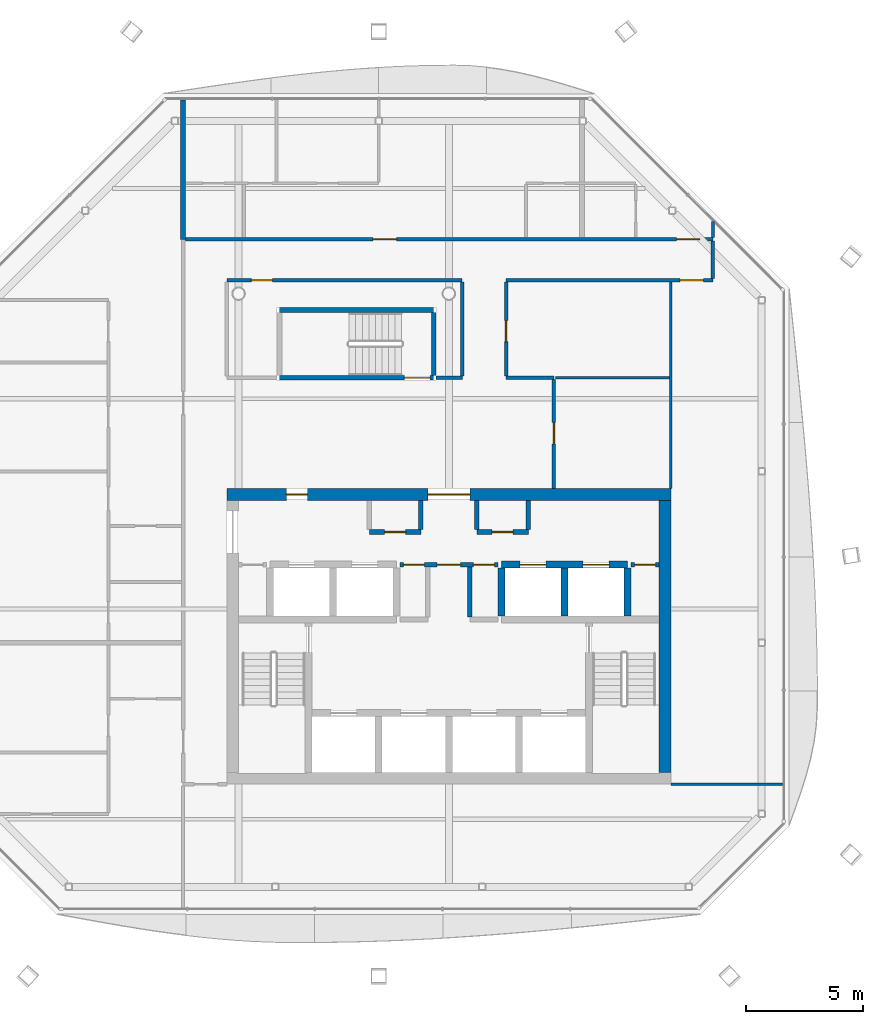
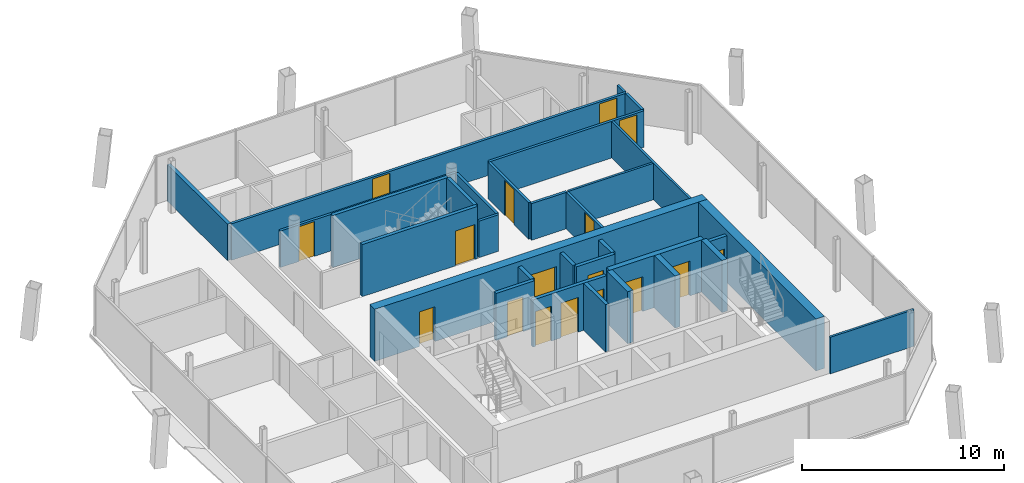
# One storey, part 11 of 16: 31 walls, 17 doors, 17 openings.
"""IFC4 building model written with IfcOpenShell, lengths in metres."""

import ifcopenshell
import ifcopenshell.guid

model = None  # the IFC model being written
_history = None  # IfcOwnerHistory: only IFC2X3 demands one
_inside = {}  # id of a spatial element -> (the spatial element, [elements in it])
_under = {}  # id of a project, library or spatial element -> (it, [spatial elements below it])
_declared = {}  # id of a project -> (the project, [libraries it declares])
_typed = {}  # id of a type object -> (the type object, [elements of that type])
_made_of = {}  # id of a material, layer set ... -> (it, [elements and type objects made of it])


def new_model(schema):
    """Start an empty IFC model of exactly this schema.

    Asked for "IFC4X3", IfcOpenShell would pick the latest addendum, in which some entities
    have other attributes; the version numbers below select the first issue.
    IFC2X3 requires an IfcOwnerHistory on every rooted entity: one is made here for all.
    """
    global model, _history
    if schema == "IFC4X3":
        model = ifcopenshell.file(schema_version=(4, 3, 0, 0))
    else:
        model = ifcopenshell.file(schema=schema)
    _inside.clear()
    _under.clear()
    _declared.clear()
    _typed.clear()
    _made_of.clear()
    _history = None
    if model.schema == "IFC2X3":
        org = make("IfcOrganization", Name="unknown")
        user = make(
            "IfcPersonAndOrganization",
            ThePerson=make("IfcPerson", FamilyName="unknown"),
            TheOrganization=org,
        )
        app = make(
            "IfcApplication",
            ApplicationDeveloper=org,
            Version="unknown",
            ApplicationFullName="unknown",
            ApplicationIdentifier="unknown",
        )
        _history = make(
            "IfcOwnerHistory",
            OwningUser=user,
            OwningApplication=app,
            ChangeAction="ADDED",
            CreationDate=0,
        )
    return model


def make(cls, **values):
    """One entity of the class cls with the attributes given. An attribute that is None is left unset."""
    return model.create_entity(
        cls, **{name: value for name, value in values.items() if value is not None}
    )


def rooted(cls, **values):
    """An entity with a GlobalId (a new one), such as an element, a storey or a relation."""
    return make(cls, GlobalId=ifcopenshell.guid.new(), OwnerHistory=_history, **values)


def si_unit(unit_type, name, prefix=None):
    """IfcSIUnit, for example si_unit("LENGTHUNIT", "METRE", prefix="MILLI")."""
    return make("IfcSIUnit", UnitType=unit_type, Prefix=prefix, Name=name)


def assignment(units):
    """IfcUnitAssignment: the units of a project."""
    return None if units is None else make("IfcUnitAssignment", Units=units)


def point(xyz):
    """IfcCartesianPoint."""
    return None if xyz is None else make("IfcCartesianPoint", Coordinates=xyz)


def direction(xyz):
    """IfcDirection."""
    return None if xyz is None else make("IfcDirection", DirectionRatios=xyz)


def frame(location, z_axis=None, x_axis=None):
    """IfcAxis2Placement3D, a coordinate frame: its origin and axes. An axis left out is left unset."""
    return make(
        "IfcAxis2Placement3D",
        Location=point(location),
        Axis=direction(z_axis),
        RefDirection=direction(x_axis),
    )


def frame_2d(location, x_axis=None):
    """IfcAxis2Placement2D, a coordinate frame in the plane: its origin and x axis."""
    return make(
        "IfcAxis2Placement2D", Location=point(location), RefDirection=direction(x_axis)
    )


def origin():
    """The frame at (0, 0, 0) with its axes left unset."""
    return frame((0.0, 0.0, 0.0))


def place(relative_to, where):
    """IfcLocalPlacement: puts the frame where relative to a parent placement (None: the world)."""
    return make(
        "IfcLocalPlacement", PlacementRelTo=relative_to, RelativePlacement=where
    )


def context(
    kind, dimensions, precision=None, world=None, true_north=None, identifier=None
):
    """IfcGeometricRepresentationContext, for example the 3D "Model" context."""
    return make(
        "IfcGeometricRepresentationContext",
        ContextIdentifier=identifier,
        ContextType=kind,
        CoordinateSpaceDimension=dimensions,
        Precision=precision,
        WorldCoordinateSystem=world,
        TrueNorth=true_north,
    )


def subcontext(parent, identifier, kind, view, scale=None):
    """IfcGeometricRepresentationSubContext, for example "Body" below "Model"."""
    return make(
        "IfcGeometricRepresentationSubContext",
        ContextIdentifier=identifier,
        ContextType=kind,
        ParentContext=parent,
        TargetScale=scale,
        TargetView=view,
    )


def project(units=None, contexts=None):
    """IfcProject with its units and contexts."""
    return rooted(
        "IfcProject",
        Name="project",
        RepresentationContexts=contexts,
        UnitsInContext=assignment(units),
    )


def spatial(cls, under=None, at=None, **own):
    """A site, building, storey or space (cls), placed at a placement, below another one or the project."""
    s = rooted(cls, ObjectPlacement=at, **own)
    if under is not None:
        _under.setdefault(under.id(), (under, []))[1].append(s)
    return s


def profile(cls, at=None, kind="AREA", **sizes):
    """A parametric profile (cls). Its sizes go by their IFC names, for example OverallWidth=200.0."""
    return make(cls, ProfileType=kind, Position=at, **sizes)


def rectangle(**sizes):
    """IfcRectangleProfileDef."""
    return profile("IfcRectangleProfileDef", **sizes)


def extrude(swept, where, along, depth):
    """IfcExtrudedAreaSolid: the profile swept, set in the frame where, extruded along a direction by depth."""
    return make(
        "IfcExtrudedAreaSolid",
        SweptArea=swept,
        Position=where,
        ExtrudedDirection=direction(along),
        Depth=depth,
    )


def shape(context_of_items, identifier, shape_type, items):
    """IfcShapeRepresentation: the items that make up one representation, for example the "Body"."""
    return make(
        "IfcShapeRepresentation",
        ContextOfItems=context_of_items,
        RepresentationIdentifier=identifier,
        RepresentationType=shape_type,
        Items=items,
    )


def material(Name=None, Category=None):
    """IfcMaterial."""
    return make("IfcMaterial", Name=Name, Category=Category)


def layer(
    of_material, thickness, ventilated=None, Name=None, Category=None, Priority=None
):
    """IfcMaterialLayer: one layer of a wall or slab, of a material (None: an air gap)."""
    return make(
        "IfcMaterialLayer",
        Material=of_material,
        LayerThickness=thickness,
        IsVentilated=ventilated,
        Name=Name,
        Category=Category,
        Priority=Priority,
    )


def layer_set(layers, Name=None):
    """IfcMaterialLayerSet."""
    return make("IfcMaterialLayerSet", MaterialLayers=layers, LayerSetName=Name)


def made_of(thing, what):
    """Note that an element or type object is made of a material, layer set ...; save() writes the relation."""
    if what is not None:
        _made_of.setdefault(what.id(), (what, []))[1].append(thing)
    return thing


def type_object(cls, material=None, **own):
    """A type object (cls), such as IfcWallType, which elements share."""
    return made_of(rooted(cls, **own), material)


def element(
    cls,
    number,
    at=None,
    inside=None,
    cuts=None,
    type_object=None,
    material=None,
    context=None,
    identifier="Body",
    shape_type=None,
    held_by="IfcProductDefinitionShape",
    body=None,
    shapes=None,
    **own,
):
    """One element of the class cls, such as IfcWall. Its Tag is "e" and its number.

    at: its placement. inside: the storey or other place that contains it. cuts: it is an
    opening in that element (IfcRelVoidsElement). A single representation is given by context,
    identifier, shape_type and body (its items); several are given by shapes. held_by: the class
    of the entity that holds the representations. save() writes the other relations.
    """
    e = rooted(cls, Tag="e%d" % number, ObjectPlacement=at, **own)
    if body is not None:
        shapes = [shape(context, identifier, shape_type, body)]
    if shapes is not None:
        e.Representation = make(held_by, Representations=shapes)
    if inside is not None:
        _inside.setdefault(inside.id(), (inside, []))[1].append(e)
    if cuts is not None:
        rooted(
            "IfcRelVoidsElement", RelatingBuildingElement=cuts, RelatedOpeningElement=e
        )
    if type_object is not None:
        _typed.setdefault(type_object.id(), (type_object, []))[1].append(e)
    return made_of(e, material)


def fill(opening, filler):
    """IfcRelFillsElement: the door or window that sits in an opening."""
    return rooted(
        "IfcRelFillsElement",
        RelatingOpeningElement=opening,
        RelatedBuildingElement=filler,
    )


def aggregate(whole, parts):
    """IfcRelAggregates: a whole, such as a stair, and the parts it consists of."""
    return rooted("IfcRelAggregates", RelatingObject=whole, RelatedObjects=parts)


def save(model, path):
    """Write the relations noted so far, then the file.

    IfcRelAggregates (storeys below a building ...), IfcRelContainedInSpatialStructure (elements
    in a storey), IfcRelDefinesByType, IfcRelAssociatesMaterial and IfcRelDeclares: one each for
    every whole, place, type object, material and project.
    """
    for whole, parts in _under.values():
        aggregate(whole, parts)
    for where, things in _inside.values():
        rooted(
            "IfcRelContainedInSpatialStructure",
            RelatedElements=things,
            RelatingStructure=where,
        )
    for kind, things in _typed.values():
        rooted("IfcRelDefinesByType", RelatedObjects=things, RelatingType=kind)
    for what, things in _made_of.values():
        rooted("IfcRelAssociatesMaterial", RelatedObjects=things, RelatingMaterial=what)
    for by, libraries in _declared.values():
        rooted("IfcRelDeclares", RelatingContext=by, RelatedDefinitions=libraries)
    model.write(path)


model = new_model("IFC4")

# Units and contexts
model_context = context("Model", 3, precision=1e-05, world=origin(), true_north=direction((0.0, 1.0)))
body_context = subcontext(model_context, "Body", "Model", "MODEL_VIEW")
ifc_project = project(units=[si_unit("LENGTHUNIT", "METRE"), si_unit("AREAUNIT", "SQUARE_METRE"), si_unit("VOLUMEUNIT", "CUBIC_METRE"), si_unit("PLANEANGLEUNIT", "RADIAN"), si_unit("MASSUNIT", "GRAM", prefix="KILO")], contexts=[model_context])

# Site, building, storey
site_placement = place(None, origin())
site = spatial("IfcSite", under=ifc_project, at=site_placement, CompositionType="ELEMENT")
building_placement = place(site_placement, origin())
building = spatial("IfcBuilding", under=site, at=building_placement, Name="Tskaro Facet Tower", CompositionType="ELEMENT")
storey_placement = place(building_placement, frame((0.0, 0.0, 248.699951171875)))
storey = spatial("IfcBuildingStorey", under=building, at=storey_placement, Name="L65", CompositionType="ELEMENT", Elevation=248.699951171875)

# Wall, openings, doors
ifc_material_1 = material(Name="Concrete C60/75", Category="concrete")
ifc_layer_1 = layer(ifc_material_1, 0.300048828125, Name="Concrete C60/75")
ifc_layer_set_1 = layer_set([ifc_layer_1], Name="Concrete C60/75")
wall_type_1 = type_object("IfcWallType", Name="CORE-SHAFT", PredefinedType="SHEAR", material=ifc_layer_set_1)
wall_1_placement = place(storey_placement, frame((2.25, -2.60009765625, 0.0), z_axis=(0.0, 0.0, 1.0), x_axis=(1.0, 0.0, 0.0)))
wall_1 = element("IfcWall", 1, at=wall_1_placement, inside=storey, type_object=wall_type_1, Name="Shaft wall W018", PredefinedType="SHEAR", context=body_context, shape_type="SweptSolid", body=[
    extrude(rectangle(XDim=5.39990234375, YDim=0.300048828125, at=frame_2d((2.699951171875, 0.0))), origin(), (0.0, 0.0, 1.0), 3.150146484375),
])
opening_1_placement = place(wall_1_placement, frame((0.800048828125, 0.0, 0.0)))
opening_1 = element("IfcOpeningElement", 2, at=opening_1_placement, cuts=wall_1, Name="Opening LD-HB3", PredefinedType="OPENING", context=body_context, shape_type="SweptSolid", body=[
    extrude(rectangle(XDim=1.10009765625, YDim=2.10009765625, at=frame_2d((0.550048828125, 1.050048828125))), frame((0.0, 0.159912109375, 0.0), z_axis=(0.0, -1.0, 0.0), x_axis=(1.0, 0.0, 0.0)), (0.0, 0.0, 1.0), 0.320068359375),
])
opening_2_placement = place(wall_1_placement, frame((3.5, 0.0, 0.0)))
opening_2 = element("IfcOpeningElement", 3, at=opening_2_placement, cuts=wall_1, Name="Opening LD-HB4", PredefinedType="OPENING", context=body_context, shape_type="SweptSolid", body=[
    extrude(rectangle(XDim=1.10009765625, YDim=2.10009765625, at=frame_2d((0.550048828125, 1.050048828125))), frame((0.0, 0.159912109375, 0.0), z_axis=(0.0, -1.0, 0.0), x_axis=(1.0, 0.0, 0.0)), (0.0, 0.0, 1.0), 0.320068359375),
])
ifc_material_2 = material(Name="Stainless steel", Category="steel")
door_type_1 = type_object("IfcDoorType", Name="D-LANDING", OperationType="NOTDEFINED", PredefinedType="DOOR", material=ifc_material_2)
door_1_placement = place(opening_1_placement, origin())
door_1 = element("IfcDoor", 4, at=door_1_placement, inside=storey, type_object=door_type_1, Name="Landing door HB3", OperationType="DOUBLE_DOOR_SLIDING", OverallHeight=2.10009765625, OverallWidth=1.10009765625, PredefinedType="DOOR", context=body_context, shape_type="SweptSolid", body=[
    extrude(rectangle(XDim=1.10009765625, YDim=2.10009765625, at=frame_2d((0.550048828125, 1.050048828125))), frame((0.0, 0.02490234375, 0.0), z_axis=(0.0, -1.0, 0.0), x_axis=(1.0, 0.0, 0.0)), (0.0, 0.0, 1.0), 0.050048828125),
])
fill(opening_1, door_1)
door_2_placement = place(opening_2_placement, origin())
door_2 = element("IfcDoor", 5, at=door_2_placement, inside=storey, type_object=door_type_1, Name="Landing door HB4", OperationType="DOUBLE_DOOR_SLIDING", OverallHeight=2.10009765625, OverallWidth=1.10009765625, PredefinedType="DOOR", context=body_context, shape_type="SweptSolid", body=[
    extrude(rectangle(XDim=1.10009765625, YDim=2.10009765625, at=frame_2d((0.550048828125, 1.050048828125))), frame((0.0, 0.02490234375, 0.0), z_axis=(0.0, -1.0, 0.0), x_axis=(1.0, 0.0, 0.0)), (0.0, 0.0, 1.0), 0.050048828125),
])
fill(opening_2, door_2)

# Walls
for number, where, z_axis, x_axis, name in (
    (6, (2.25, -4.800048828125, 0.0), (0.0, 0.0, 1.0), (0.0, 1.0, 0.0), "Shaft wall W062"),
    (7, (4.949951171875, -4.800048828125, 0.0), (0.0, 0.0, 1.0), (0.0, 1.0, 0.0), "Shaft wall W068"),
    (8, (7.64990234375, -4.800048828125, 0.0), (0.0, 0.0, 1.0), (0.0, 1.0, 0.0), "Shaft wall W072"),
):
    element("IfcWall", number, at=place(storey_placement, frame(where, z_axis=z_axis, x_axis=x_axis)), inside=storey, type_object=wall_type_1, Name=name, PredefinedType="SHEAR", context=body_context, shape_type="SweptSolid", body=[
        extrude(rectangle(XDim=2.050048828125, YDim=0.300048828125, at=frame_2d((1.02490234375, 0.0))), origin(), (0.0, 0.0, 1.0), 3.150146484375),
    ])

# Wall, openings, doors
ifc_material_3 = material(Name="Concrete C20/25", Category="concrete")
ifc_layer_2 = layer(ifc_material_3, 0.199951171875, Name="Concrete C20/25")
ifc_layer_set_2 = layer_set([ifc_layer_2], Name="Concrete C20/25")
wall_type_2 = type_object("IfcWallType", Name="CORE-WALL", PredefinedType="SOLIDWALL", material=ifc_layer_set_2)
wall_2_placement = place(storey_placement, frame((2.10009765625, -2.60009765625, 0.0), z_axis=(0.0, 0.0, 1.0), x_axis=(-1.0, 0.0, 0.0)))
wall_2 = element("IfcWall", 9, at=wall_2_placement, inside=storey, type_object=wall_type_2, Name="Core room wall W017", PredefinedType="SOLIDWALL", context=body_context, shape_type="SweptSolid", body=[
    extrude(rectangle(XDim=4.2001953125, YDim=0.199951171875, at=frame_2d((2.10009765625, 0.0))), origin(), (0.0, 0.0, 1.0), 2.85009765625),
])
opening_3_placement = place(wall_2_placement, frame((1.60009765625, 0.0, 0.0)))
opening_3 = element("IfcOpeningElement", 10, at=opening_3_placement, cuts=wall_2, Name="Opening FL-D1", PredefinedType="OPENING", context=body_context, shape_type="SweptSolid", body=[
    extrude(rectangle(XDim=1.0, YDim=2.10009765625, at=frame_2d((0.5, 1.050048828125))), frame((0.0, 0.10986328125, 0.0), z_axis=(0.0, -1.0, 0.0), x_axis=(1.0, 0.0, 0.0)), (0.0, 0.0, 1.0), 0.219970703125),
])
opening_4_placement = place(wall_2_placement, frame((3.14990234375, 0.0, 0.0)))
opening_4 = element("IfcOpeningElement", 11, at=opening_4_placement, cuts=wall_2, Name="Opening T19-D08", PredefinedType="OPENING", context=body_context, shape_type="SweptSolid", body=[
    extrude(rectangle(XDim=0.89990234375, YDim=2.10009765625, at=frame_2d((0.449951171875, 1.050048828125))), frame((0.0, 0.10986328125, 0.0), z_axis=(0.0, -1.0, 0.0), x_axis=(1.0, 0.0, 0.0)), (0.0, 0.0, 1.0), 0.219970703125),
])
opening_5_placement = place(wall_2_placement, frame((0.14990234375, 0.0, 0.0)))
opening_5 = element("IfcOpeningElement", 12, at=opening_5_placement, cuts=wall_2, Name="Opening T19-D09", PredefinedType="OPENING", context=body_context, shape_type="SweptSolid", body=[
    extrude(rectangle(XDim=0.89990234375, YDim=2.10009765625, at=frame_2d((0.449951171875, 1.050048828125))), frame((0.0, 0.10986328125, 0.0), z_axis=(0.0, -1.0, 0.0), x_axis=(1.0, 0.0, 0.0)), (0.0, 0.0, 1.0), 0.219970703125),
])
ifc_material_4 = material(Name="Steel", Category="steel")
door_type_2 = type_object("IfcDoorType", Name="D-LOBBY", OperationType="NOTDEFINED", PredefinedType="DOOR", material=ifc_material_4)
door_3_placement = place(opening_3_placement, origin())
door_3 = element("IfcDoor", 13, at=door_3_placement, inside=storey, type_object=door_type_2, Name="Lobby door FL", OperationType="SINGLE_SWING_RIGHT", OverallHeight=2.10009765625, OverallWidth=1.0, PredefinedType="DOOR", context=body_context, shape_type="SweptSolid", body=[
    extrude(rectangle(XDim=1.0, YDim=2.10009765625, at=frame_2d((0.5, 1.050048828125))), frame((0.0, 0.02490234375, 0.0), z_axis=(0.0, -1.0, 0.0), x_axis=(1.0, 0.0, 0.0)), (0.0, 0.0, 1.0), 0.050048828125),
])
fill(opening_3, door_3)
ifc_material_5 = material(Name="Timber", Category="wood")
door_type_3 = type_object("IfcDoorType", Name="D-ROOM", OperationType="NOTDEFINED", PredefinedType="DOOR", material=ifc_material_5)
door_4_placement = place(opening_4_placement, origin())
door_4 = element("IfcDoor", 14, at=door_4_placement, inside=storey, type_object=door_type_3, Name="Door T19-D08", OperationType="SINGLE_SWING_RIGHT", OverallHeight=2.10009765625, OverallWidth=0.89990234375, PredefinedType="DOOR", context=body_context, shape_type="SweptSolid", body=[
    extrude(rectangle(XDim=0.89990234375, YDim=2.10009765625, at=frame_2d((0.449951171875, 1.050048828125))), frame((0.0, 0.02490234375, 0.0), z_axis=(0.0, -1.0, 0.0), x_axis=(1.0, 0.0, 0.0)), (0.0, 0.0, 1.0), 0.050048828125),
])
fill(opening_4, door_4)
door_5_placement = place(opening_5_placement, origin())
door_5 = element("IfcDoor", 15, at=door_5_placement, inside=storey, type_object=door_type_3, Name="Door T19-D09", OperationType="SINGLE_SWING_RIGHT", OverallHeight=2.10009765625, OverallWidth=0.89990234375, PredefinedType="DOOR", context=body_context, shape_type="SweptSolid", body=[
    extrude(rectangle(XDim=0.89990234375, YDim=2.10009765625, at=frame_2d((0.449951171875, 1.050048828125))), frame((0.0, 0.02490234375, 0.0), z_axis=(0.0, -1.0, 0.0), x_axis=(1.0, 0.0, 0.0)), (0.0, 0.0, 1.0), 0.050048828125),
])
fill(opening_5, door_5)

# Wall, opening, door
wall_3_placement = place(storey_placement, frame((9.0, -2.60009765625, 0.0), z_axis=(0.0, 0.0, 1.0), x_axis=(-1.0, 0.0, 0.0)))
wall_3 = element("IfcWall", 16, at=wall_3_placement, inside=storey, type_object=wall_type_2, Name="Core room wall W019", PredefinedType="SOLIDWALL", context=body_context, shape_type="SweptSolid", body=[
    extrude(rectangle(XDim=1.199951171875, YDim=0.199951171875, at=frame_2d((0.60009765625, 0.0))), origin(), (0.0, 0.0, 1.0), 2.85009765625),
])
opening_6_placement = place(wall_3_placement, frame((0.14990234375, 0.0, 0.0)))
opening_6 = element("IfcOpeningElement", 17, at=opening_6_placement, cuts=wall_3, Name="Opening T19-D10", PredefinedType="OPENING", context=body_context, shape_type="SweptSolid", body=[
    extrude(rectangle(XDim=0.89990234375, YDim=2.10009765625, at=frame_2d((0.449951171875, 1.050048828125))), frame((0.0, 0.10986328125, 0.0), z_axis=(0.0, -1.0, 0.0), x_axis=(1.0, 0.0, 0.0)), (0.0, 0.0, 1.0), 0.219970703125),
])
door_6_placement = place(opening_6_placement, origin())
door_6 = element("IfcDoor", 18, at=door_6_placement, inside=storey, type_object=door_type_3, Name="Door T19-D10", OperationType="SINGLE_SWING_RIGHT", OverallHeight=2.10009765625, OverallWidth=0.89990234375, PredefinedType="DOOR", context=body_context, shape_type="SweptSolid", body=[
    extrude(rectangle(XDim=0.89990234375, YDim=2.10009765625, at=frame_2d((0.449951171875, 1.050048828125))), frame((0.0, 0.02490234375, 0.0), z_axis=(0.0, -1.0, 0.0), x_axis=(1.0, 0.0, 0.0)), (0.0, 0.0, 1.0), 0.050048828125),
])
fill(opening_6, door_6)

wall_4_placement = place(storey_placement, frame((-3.39990234375, -1.199951171875, 0.0), z_axis=(0.0, 0.0, 1.0), x_axis=(1.0, 0.0, 0.0)))
wall_4 = element("IfcWall", 19, at=wall_4_placement, inside=storey, type_object=wall_type_2, Name="Core room wall W020", PredefinedType="SOLIDWALL", context=body_context, shape_type="SweptSolid", body=[
    extrude(rectangle(XDim=2.199951171875, YDim=0.199951171875, at=frame_2d((1.10009765625, 0.0))), origin(), (0.0, 0.0, 1.0), 2.85009765625),
])
opening_7_placement = place(wall_4_placement, frame((0.64990234375, 0.0, 0.0)))
opening_7 = element("IfcOpeningElement", 20, at=opening_7_placement, cuts=wall_4, Name="Opening T19-D12", PredefinedType="OPENING", context=body_context, shape_type="SweptSolid", body=[
    extrude(rectangle(XDim=0.89990234375, YDim=2.10009765625, at=frame_2d((0.449951171875, 1.050048828125))), frame((0.0, 0.10986328125, 0.0), z_axis=(0.0, -1.0, 0.0), x_axis=(1.0, 0.0, 0.0)), (0.0, 0.0, 1.0), 0.219970703125),
])
door_7_placement = place(opening_7_placement, origin())
door_7 = element("IfcDoor", 21, at=door_7_placement, inside=storey, type_object=door_type_3, Name="Door T19-D12", OperationType="SINGLE_SWING_LEFT", OverallHeight=2.10009765625, OverallWidth=0.89990234375, PredefinedType="DOOR", context=body_context, shape_type="SweptSolid", body=[
    extrude(rectangle(XDim=0.89990234375, YDim=2.10009765625, at=frame_2d((0.449951171875, 1.050048828125))), frame((0.0, 0.02490234375, 0.0), z_axis=(0.0, -1.0, 0.0), x_axis=(1.0, 0.0, 0.0)), (0.0, 0.0, 1.0), 0.050048828125),
])
fill(opening_7, door_7)

wall_5_placement = place(storey_placement, frame((1.199951171875, -1.199951171875, 0.0), z_axis=(0.0, 0.0, 1.0), x_axis=(1.0, 0.0, 0.0)))
wall_5 = element("IfcWall", 22, at=wall_5_placement, inside=storey, type_object=wall_type_2, Name="Core room wall W021", PredefinedType="SOLIDWALL", context=body_context, shape_type="SweptSolid", body=[
    extrude(rectangle(XDim=2.199951171875, YDim=0.199951171875, at=frame_2d((1.10009765625, 0.0))), origin(), (0.0, 0.0, 1.0), 2.85009765625),
])
opening_8_placement = place(wall_5_placement, frame((0.64990234375, 0.0, 0.0)))
opening_8 = element("IfcOpeningElement", 23, at=opening_8_placement, cuts=wall_5, Name="Opening T19-D13", PredefinedType="OPENING", context=body_context, shape_type="SweptSolid", body=[
    extrude(rectangle(XDim=0.89990234375, YDim=2.10009765625, at=frame_2d((0.449951171875, 1.050048828125))), frame((0.0, 0.10986328125, 0.0), z_axis=(0.0, -1.0, 0.0), x_axis=(1.0, 0.0, 0.0)), (0.0, 0.0, 1.0), 0.219970703125),
])
door_8_placement = place(opening_8_placement, origin())
door_8 = element("IfcDoor", 24, at=door_8_placement, inside=storey, type_object=door_type_3, Name="Door T19-D13", OperationType="SINGLE_SWING_LEFT", OverallHeight=2.10009765625, OverallWidth=0.89990234375, PredefinedType="DOOR", context=body_context, shape_type="SweptSolid", body=[
    extrude(rectangle(XDim=0.89990234375, YDim=2.10009765625, at=frame_2d((0.449951171875, 1.050048828125))), frame((0.0, 0.02490234375, 0.0), z_axis=(0.0, -1.0, 0.0), x_axis=(1.0, 0.0, 0.0)), (0.0, 0.0, 1.0), 0.050048828125),
])
fill(opening_8, door_8)

# Walls
wall_6_placement = place(storey_placement, frame((-1.199951171875, -1.10009765625, 0.0), z_axis=(0.0, 0.0, 1.0), x_axis=(0.0, 1.0, 0.0)))
element("IfcWall", 25, at=wall_6_placement, inside=storey, type_object=wall_type_2, Name="Core room wall W055", PredefinedType="SOLIDWALL", context=body_context, shape_type="SweptSolid", body=[
    extrude(rectangle(XDim=1.25, YDim=0.199951171875, at=frame_2d((0.625, 0.0))), origin(), (0.0, 0.0, 1.0), 2.85009765625),
])
wall_7_placement = place(storey_placement, frame((0.89990234375, -4.85009765625, 0.0), z_axis=(0.0, 0.0, 1.0), x_axis=(0.0, 1.0, 0.0)))
element("IfcWall", 26, at=wall_7_placement, inside=storey, type_object=wall_type_2, Name="Core room wall W060", PredefinedType="SOLIDWALL", context=body_context, shape_type="SweptSolid", body=[
    extrude(rectangle(XDim=2.150146484375, YDim=0.199951171875, at=frame_2d((1.0751953125, 0.0))), origin(), (0.0, 0.0, 1.0), 2.85009765625),
])
for number, where, z_axis, x_axis, name in (
    (27, (1.199951171875, -1.10009765625, 0.0), (0.0, 0.0, 1.0), (0.0, 1.0, 0.0), "Core room wall W061"),
    (28, (3.39990234375, -1.10009765625, 0.0), (0.0, 0.0, 1.0), (0.0, 1.0, 0.0), "Core room wall W066"),
):
    element("IfcWall", number, at=place(storey_placement, frame(where, z_axis=z_axis, x_axis=x_axis)), inside=storey, type_object=wall_type_2, Name=name, PredefinedType="SOLIDWALL", context=body_context, shape_type="SweptSolid", body=[
        extrude(rectangle(XDim=1.25, YDim=0.199951171875, at=frame_2d((0.625, 0.0))), origin(), (0.0, 0.0, 1.0), 2.85009765625),
    ])

# Wall, openings, doors
ifc_material_6 = material(Name="Concrete C40/50", Category="concrete")
ifc_layer_3 = layer(ifc_material_6, 0.5, Name="Concrete C40/50")
ifc_layer_set_3 = layer_set([ifc_layer_3], Name="Concrete C40/50")
wall_type_3 = type_object("IfcWallType", Name="Core wall 500", PredefinedType="SHEAR", material=ifc_layer_set_3)
wall_8_placement = place(storey_placement, frame((-9.5, 0.39990234375, 0.0), z_axis=(0.0, 0.0, 1.0), x_axis=(1.0, 0.0, 0.0)))
wall_8 = element("IfcWall", 29, at=wall_8_placement, inside=storey, type_object=wall_type_3, Name="Core wall CW-Z3N", PredefinedType="SHEAR", context=body_context, shape_type="SweptSolid", body=[
    extrude(rectangle(XDim=19.0, YDim=0.5, at=frame_2d((9.5, 0.0))), origin(), (0.0, 0.0, 1.0), 3.150146484375),
])
opening_9_placement = place(wall_8_placement, frame((8.60009765625, 0.0, 0.0)))
opening_9 = element("IfcOpeningElement", 30, at=opening_9_placement, cuts=wall_8, Name="Opening T19-D17", PredefinedType="OPENING", context=body_context, shape_type="SweptSolid", body=[
    extrude(rectangle(XDim=1.800048828125, YDim=2.10009765625, at=frame_2d((0.89990234375, 1.050048828125))), frame((0.0, 0.260009765625, 0.0), z_axis=(0.0, -1.0, 0.0), x_axis=(1.0, 0.0, 0.0)), (0.0, 0.0, 1.0), 0.52001953125),
])
opening_10_placement = place(wall_8_placement, frame((2.550048828125, 0.0, 0.0)))
opening_10 = element("IfcOpeningElement", 31, at=opening_10_placement, cuts=wall_8, Name="Opening T19-D16", PredefinedType="OPENING", context=body_context, shape_type="SweptSolid", body=[
    extrude(rectangle(XDim=0.89990234375, YDim=2.10009765625, at=frame_2d((0.449951171875, 1.050048828125))), frame((0.0, 0.260009765625, 0.0), z_axis=(0.0, -1.0, 0.0), x_axis=(1.0, 0.0, 0.0)), (0.0, 0.0, 1.0), 0.52001953125),
])
door_type_4 = type_object("IfcDoorType", Name="D-CORE-PAIR", OperationType="NOTDEFINED", PredefinedType="DOOR", material=ifc_material_4)
door_9_placement = place(opening_9_placement, origin())
door_9 = element("IfcDoor", 32, at=door_9_placement, inside=storey, type_object=door_type_4, Name="Door T19-D17", OperationType="DOUBLE_DOOR_SINGLE_SWING", OverallHeight=2.10009765625, OverallWidth=1.800048828125, PredefinedType="DOOR", context=body_context, shape_type="SweptSolid", body=[
    extrude(rectangle(XDim=1.800048828125, YDim=2.10009765625, at=frame_2d((0.89990234375, 1.050048828125))), frame((0.0, 0.02490234375, 0.0), z_axis=(0.0, -1.0, 0.0), x_axis=(1.0, 0.0, 0.0)), (0.0, 0.0, 1.0), 0.050048828125),
])
fill(opening_9, door_9)
door_10_placement = place(opening_10_placement, origin())
door_10 = element("IfcDoor", 33, at=door_10_placement, inside=storey, type_object=door_type_3, Name="Door T19-D16", OperationType="SINGLE_SWING_LEFT", OverallHeight=2.10009765625, OverallWidth=0.89990234375, PredefinedType="DOOR", context=body_context, shape_type="SweptSolid", body=[
    extrude(rectangle(XDim=0.89990234375, YDim=2.10009765625, at=frame_2d((0.449951171875, 1.050048828125))), frame((0.0, 0.02490234375, 0.0), z_axis=(0.0, -1.0, 0.0), x_axis=(1.0, 0.0, 0.0)), (0.0, 0.0, 1.0), 0.050048828125),
])
fill(opening_10, door_10)

# Walls
wall_9_placement = place(storey_placement, frame((9.25, -11.5, 0.0), z_axis=(0.0, 0.0, 1.0), x_axis=(0.0, 1.0, 0.0)))
element("IfcWall", 34, at=wall_9_placement, inside=storey, type_object=wall_type_3, Name="Core wall CW-Z3E", PredefinedType="SHEAR", context=body_context, shape_type="SweptSolid", body=[
    extrude(rectangle(XDim=11.64990234375, YDim=0.5, at=frame_2d((5.824951171875, 0.0))), origin(), (0.0, 0.0, 1.0), 3.150146484375),
])
ifc_material_7 = material(Name="Gypsum board on steel studs", Category="steel")
ifc_layer_4 = layer(ifc_material_7, 0.125, Name="Gypsum board on steel studs")
ifc_layer_set_4 = layer_set([ifc_layer_4], Name="Gypsum board on steel studs")
wall_type_4 = type_object("IfcWallType", Name="PART", PredefinedType="PARTITIONING", material=ifc_layer_set_4)
wall_10_placement = place(storey_placement, frame((9.5, -12.0, 0.0), z_axis=(0.0, 0.0, 1.0), x_axis=(1.0, 0.0, 0.0)))
element("IfcWall", 35, at=wall_10_placement, inside=storey, type_object=wall_type_4, Name="Partition W004", PredefinedType="PARTITIONING", context=body_context, shape_type="SweptSolid", body=[
    extrude(rectangle(XDim=4.791015625, YDim=0.125, at=frame_2d((2.3955078125, 0.0))), origin(), (0.0, 0.0, 1.0), 2.2099609375),
])
wall_11_placement = place(storey_placement, frame((4.574951171875, 5.39990234375, 0.0), z_axis=(0.0, 0.0, 1.0), x_axis=(1.0, 0.0, 0.0)))
element("IfcWall", 36, at=wall_11_placement, inside=storey, type_object=wall_type_4, Name="Partition W029", PredefinedType="PARTITIONING", context=body_context, shape_type="SweptSolid", body=[
    extrude(rectangle(XDim=4.862548828125, YDim=0.125, at=frame_2d((2.43115234375, 0.0))), origin(), (0.0, 0.0, 1.0), 2.2099609375),
])
wall_12_placement = place(storey_placement, frame((9.5, 0.64990234375, 0.0), z_axis=(0.0, 0.0, 1.0), x_axis=(0.0, 1.0, 0.0)))
element("IfcWall", 37, at=wall_12_placement, inside=storey, type_object=wall_type_4, Name="Partition W074", PredefinedType="PARTITIONING", context=body_context, shape_type="SweptSolid", body=[
    extrude(rectangle(XDim=8.85009765625, YDim=0.125, at=frame_2d((4.425048828125, 0.0))), origin(), (0.0, 0.0, 1.0), 2.2099609375),
])
wall_13_placement = place(storey_placement, frame((11.300048828125, 11.39990234375, 0.0), z_axis=(0.0, 0.0, 1.0), x_axis=(0.0, 1.0, 0.0)))
element("IfcWall", 38, at=wall_13_placement, inside=storey, type_object=wall_type_4, Name="Partition W076", PredefinedType="PARTITIONING", context=body_context, shape_type="SweptSolid", body=[
    extrude(rectangle(XDim=0.689208984375, YDim=0.125, at=frame_2d((0.3447265625, 0.0))), origin(), (0.0, 0.0, 1.0), 2.2099609375),
])
ifc_layer_5 = layer(ifc_material_7, 0.14990234375, Name="Gypsum board on steel studs")
ifc_layer_set_5 = layer_set([ifc_layer_5], Name="Gypsum board on steel studs")
wall_type_5 = type_object("IfcWallType", Name="PART-CORR", PredefinedType="PARTITIONING", material=ifc_layer_set_5)
wall_14_placement = place(storey_placement, frame((-0.550048828125, 5.39990234375, 0.0), z_axis=(0.0, 0.0, 1.0), x_axis=(1.0, 0.0, 0.0)))
element("IfcWall", 39, at=wall_14_placement, inside=storey, type_object=wall_type_5, Name="Corridor wall W027", PredefinedType="PARTITIONING", context=body_context, shape_type="SweptSolid", body=[
    extrude(rectangle(XDim=1.125, YDim=0.14990234375, at=frame_2d((0.5625, 0.0))), origin(), (0.0, 0.0, 1.0), 2.2099609375),
])
wall_15_placement = place(storey_placement, frame((2.449951171875, 5.39990234375, 0.0), z_axis=(0.0, 0.0, 1.0), x_axis=(1.0, 0.0, 0.0)))
element("IfcWall", 40, at=wall_15_placement, inside=storey, type_object=wall_type_5, Name="Corridor wall W028", PredefinedType="PARTITIONING", context=body_context, shape_type="SweptSolid", body=[
    extrude(rectangle(XDim=2.050048828125, YDim=0.14990234375, at=frame_2d((1.02490234375, 0.0))), origin(), (0.0, 0.0, 1.0), 2.2099609375),
])

# Wall, opening, door
wall_16_placement = place(storey_placement, frame((0.574951171875, 9.574951171875, 0.0), z_axis=(0.0, 0.0, 1.0), x_axis=(-1.0, 0.0, 0.0)))
wall_16 = element("IfcWall", 41, at=wall_16_placement, inside=storey, type_object=wall_type_5, Name="Corridor wall W034", PredefinedType="PARTITIONING", context=body_context, shape_type="SweptSolid", body=[
    extrude(rectangle(XDim=10.074951171875, YDim=0.14990234375, at=frame_2d((5.03759765625, 0.0))), origin(), (0.0, 0.0, 1.0), 2.2099609375),
])
opening_11_placement = place(wall_16_placement, frame((8.125, 0.0, 0.0)))
opening_11 = element("IfcOpeningElement", 42, at=opening_11_placement, cuts=wall_16, Name="Opening T19-D23", PredefinedType="OPENING", context=body_context, shape_type="SweptSolid", body=[
    extrude(rectangle(XDim=0.89990234375, YDim=2.10009765625, at=frame_2d((0.449951171875, 1.050048828125))), frame((0.0, 0.0849609375, 0.0), z_axis=(0.0, -1.0, 0.0), x_axis=(1.0, 0.0, 0.0)), (0.0, 0.0, 1.0), 0.169921875),
])
door_11_placement = place(opening_11_placement, origin())
door_11 = element("IfcDoor", 43, at=door_11_placement, inside=storey, type_object=door_type_3, Name="Door T19-D23", OperationType="SINGLE_SWING_RIGHT", OverallHeight=2.10009765625, OverallWidth=0.89990234375, PredefinedType="DOOR", context=body_context, shape_type="SweptSolid", body=[
    extrude(rectangle(XDim=0.89990234375, YDim=2.10009765625, at=frame_2d((0.449951171875, 1.050048828125))), frame((0.0, 0.02490234375, 0.0), z_axis=(0.0, -1.0, 0.0), x_axis=(1.0, 0.0, 0.0)), (0.0, 0.0, 1.0), 0.050048828125),
])
fill(opening_11, door_11)

wall_17_placement = place(storey_placement, frame((11.300048828125, 9.574951171875, 0.0), z_axis=(0.0, 0.0, 1.0), x_axis=(-1.0, 0.0, 0.0)))
wall_17 = element("IfcWall", 44, at=wall_17_placement, inside=storey, type_object=wall_type_5, Name="Corridor wall W035", PredefinedType="PARTITIONING", context=body_context, shape_type="SweptSolid", body=[
    extrude(rectangle(XDim=8.85009765625, YDim=0.14990234375, at=frame_2d((4.425048828125, 0.0))), origin(), (0.0, 0.0, 1.0), 2.2099609375),
])
opening_12_placement = place(wall_17_placement, frame((0.39990234375, 0.0, 0.0)))
opening_12 = element("IfcOpeningElement", 45, at=opening_12_placement, cuts=wall_17, Name="Opening T19-D24", PredefinedType="OPENING", context=body_context, shape_type="SweptSolid", body=[
    extrude(rectangle(XDim=1.0, YDim=2.10009765625, at=frame_2d((0.5, 1.050048828125))), frame((0.0, 0.0849609375, 0.0), z_axis=(0.0, -1.0, 0.0), x_axis=(1.0, 0.0, 0.0)), (0.0, 0.0, 1.0), 0.169921875),
])
door_type_5 = type_object("IfcDoorType", Name="D-ROOM-WIDE", OperationType="NOTDEFINED", PredefinedType="DOOR", material=ifc_material_5)
door_12_placement = place(opening_12_placement, origin())
door_12 = element("IfcDoor", 46, at=door_12_placement, inside=storey, type_object=door_type_5, Name="Door T19-D24", OperationType="SINGLE_SWING_RIGHT", OverallHeight=2.10009765625, OverallWidth=1.0, PredefinedType="DOOR", context=body_context, shape_type="SweptSolid", body=[
    extrude(rectangle(XDim=1.0, YDim=2.10009765625, at=frame_2d((0.5, 1.050048828125))), frame((0.0, 0.02490234375, 0.0), z_axis=(0.0, -1.0, 0.0), x_axis=(1.0, 0.0, 0.0)), (0.0, 0.0, 1.0), 0.050048828125),
])
fill(opening_12, door_12)

# Wall, openings, doors
wall_18_placement = place(storey_placement, frame((-11.27490234375, 11.324951171875, 0.0), z_axis=(0.0, 0.0, 1.0), x_axis=(1.0, 0.0, 0.0)))
wall_18 = element("IfcWall", 47, at=wall_18_placement, inside=storey, type_object=wall_type_5, Name="Corridor wall W036", PredefinedType="PARTITIONING", context=body_context, shape_type="SweptSolid", body=[
    extrude(rectangle(XDim=22.574951171875, YDim=0.14990234375, at=frame_2d((11.28759765625, 0.0))), origin(), (0.0, 0.0, 1.0), 2.2099609375),
])
opening_13_placement = place(wall_18_placement, frame((8.03759765625, 0.0, 0.0)))
opening_13 = element("IfcOpeningElement", 48, at=opening_13_placement, cuts=wall_18, Name="Opening T19-D25", PredefinedType="OPENING", context=body_context, shape_type="SweptSolid", body=[
    extrude(rectangle(XDim=1.0, YDim=2.10009765625, at=frame_2d((0.5, 1.050048828125))), frame((0.0, 0.0849609375, 0.0), z_axis=(0.0, -1.0, 0.0), x_axis=(1.0, 0.0, 0.0)), (0.0, 0.0, 1.0), 0.169921875),
])
opening_14_placement = place(wall_18_placement, frame((21.02490234375, 0.0, 0.0)))
opening_14 = element("IfcOpeningElement", 49, at=opening_14_placement, cuts=wall_18, Name="Opening T19-D26", PredefinedType="OPENING", context=body_context, shape_type="SweptSolid", body=[
    extrude(rectangle(XDim=1.0, YDim=2.10009765625, at=frame_2d((0.5, 1.050048828125))), frame((0.0, 0.0849609375, 0.0), z_axis=(0.0, -1.0, 0.0), x_axis=(1.0, 0.0, 0.0)), (0.0, 0.0, 1.0), 0.169921875),
])
door_type_6 = type_object("IfcDoorType", Name="D-FLAT-ENTRY", OperationType="NOTDEFINED", PredefinedType="DOOR", material=ifc_material_5)
door_13_placement = place(opening_13_placement, origin())
door_13 = element("IfcDoor", 50, at=door_13_placement, inside=storey, type_object=door_type_6, Name="Door T19-D25", OperationType="SINGLE_SWING_LEFT", OverallHeight=2.10009765625, OverallWidth=1.0, PredefinedType="DOOR", context=body_context, shape_type="SweptSolid", body=[
    extrude(rectangle(XDim=1.0, YDim=2.10009765625, at=frame_2d((0.5, 1.050048828125))), frame((0.0, 0.02490234375, 0.0), z_axis=(0.0, -1.0, 0.0), x_axis=(1.0, 0.0, 0.0)), (0.0, 0.0, 1.0), 0.050048828125),
])
fill(opening_13, door_13)
door_14_placement = place(opening_14_placement, origin())
door_14 = element("IfcDoor", 51, at=door_14_placement, inside=storey, type_object=door_type_6, Name="Door T19-D26", OperationType="SINGLE_SWING_LEFT", OverallHeight=2.10009765625, OverallWidth=1.0, PredefinedType="DOOR", context=body_context, shape_type="SweptSolid", body=[
    extrude(rectangle(XDim=1.0, YDim=2.10009765625, at=frame_2d((0.5, 1.050048828125))), frame((0.0, 0.02490234375, 0.0), z_axis=(0.0, -1.0, 0.0), x_axis=(1.0, 0.0, 0.0)), (0.0, 0.0, 1.0), 0.050048828125),
])
fill(opening_14, door_14)

# Wall
wall_19_placement = place(storey_placement, frame((0.574951171875, 5.47509765625, 0.0), z_axis=(0.0, 0.0, 1.0), x_axis=(0.0, 1.0, 0.0)))
element("IfcWall", 52, at=wall_19_placement, inside=storey, type_object=wall_type_5, Name="Corridor wall W059", PredefinedType="PARTITIONING", context=body_context, shape_type="SweptSolid", body=[
    extrude(rectangle(XDim=4.02490234375, YDim=0.14990234375, at=frame_2d((2.012451171875, 0.0))), origin(), (0.0, 0.0, 1.0), 2.2099609375),
])

# Wall, opening, door
wall_20_placement = place(storey_placement, frame((2.449951171875, 9.5, 0.0), z_axis=(0.0, 0.0, 1.0), x_axis=(0.0, -1.0, 0.0)))
wall_20 = element("IfcWall", 53, at=wall_20_placement, inside=storey, type_object=wall_type_5, Name="Corridor wall W063", PredefinedType="PARTITIONING", context=body_context, shape_type="SweptSolid", body=[
    extrude(rectangle(XDim=4.02490234375, YDim=0.14990234375, at=frame_2d((2.012451171875, 0.0))), origin(), (0.0, 0.0, 1.0), 2.2099609375),
])
opening_15_placement = place(wall_20_placement, frame((1.64990234375, 0.0, 0.0)))
opening_15 = element("IfcOpeningElement", 54, at=opening_15_placement, cuts=wall_20, Name="Opening T19-D22", PredefinedType="OPENING", context=body_context, shape_type="SweptSolid", body=[
    extrude(rectangle(XDim=0.89990234375, YDim=2.10009765625, at=frame_2d((0.449951171875, 1.050048828125))), frame((0.0, 0.0849609375, 0.0), z_axis=(0.0, -1.0, 0.0), x_axis=(1.0, 0.0, 0.0)), (0.0, 0.0, 1.0), 0.169921875),
])
door_15_placement = place(opening_15_placement, origin())
door_15 = element("IfcDoor", 55, at=door_15_placement, inside=storey, type_object=door_type_3, Name="Door T19-D22", OperationType="SINGLE_SWING_RIGHT", OverallHeight=2.10009765625, OverallWidth=0.89990234375, PredefinedType="DOOR", context=body_context, shape_type="SweptSolid", body=[
    extrude(rectangle(XDim=0.89990234375, YDim=2.10009765625, at=frame_2d((0.449951171875, 1.050048828125))), frame((0.0, 0.02490234375, 0.0), z_axis=(0.0, -1.0, 0.0), x_axis=(1.0, 0.0, 0.0)), (0.0, 0.0, 1.0), 0.050048828125),
])
fill(opening_15, door_15)

wall_21_placement = place(storey_placement, frame((4.5, 5.324951171875, 0.0), z_axis=(0.0, 0.0, 1.0), x_axis=(0.0, -1.0, 0.0)))
wall_21 = element("IfcWall", 56, at=wall_21_placement, inside=storey, type_object=wall_type_5, Name="Corridor wall W067", PredefinedType="PARTITIONING", context=body_context, shape_type="SweptSolid", body=[
    extrude(rectangle(XDim=4.675048828125, YDim=0.14990234375, at=frame_2d((2.33740234375, 0.0))), origin(), (0.0, 0.0, 1.0), 2.2099609375),
])
opening_16_placement = place(wall_21_placement, frame((1.85009765625, 0.0, 0.0)))
opening_16 = element("IfcOpeningElement", 57, at=opening_16_placement, cuts=wall_21, Name="Opening T19-D18", PredefinedType="OPENING", context=body_context, shape_type="SweptSolid", body=[
    extrude(rectangle(XDim=0.89990234375, YDim=2.10009765625, at=frame_2d((0.449951171875, 1.050048828125))), frame((0.0, 0.0849609375, 0.0), z_axis=(0.0, -1.0, 0.0), x_axis=(1.0, 0.0, 0.0)), (0.0, 0.0, 1.0), 0.169921875),
])
door_16_placement = place(opening_16_placement, origin())
door_16 = element("IfcDoor", 58, at=door_16_placement, inside=storey, type_object=door_type_3, Name="Door T19-D18", OperationType="SINGLE_SWING_RIGHT", OverallHeight=2.10009765625, OverallWidth=0.89990234375, PredefinedType="DOOR", context=body_context, shape_type="SweptSolid", body=[
    extrude(rectangle(XDim=0.89990234375, YDim=2.10009765625, at=frame_2d((0.449951171875, 1.050048828125))), frame((0.0, 0.02490234375, 0.0), z_axis=(0.0, -1.0, 0.0), x_axis=(1.0, 0.0, 0.0)), (0.0, 0.0, 1.0), 0.050048828125),
])
fill(opening_16, door_16)

# Walls
wall_22_placement = place(storey_placement, frame((11.300048828125, 9.64990234375, 0.0), z_axis=(0.0, 0.0, 1.0), x_axis=(0.0, 1.0, 0.0)))
element("IfcWall", 59, at=wall_22_placement, inside=storey, type_object=wall_type_5, Name="Corridor wall W075", PredefinedType="PARTITIONING", context=body_context, shape_type="SweptSolid", body=[
    extrude(rectangle(XDim=1.60009765625, YDim=0.14990234375, at=frame_2d((0.800048828125, 0.0))), origin(), (0.0, 0.0, 1.0), 2.2099609375),
])
ifc_layer_6 = layer(ifc_material_7, 0.199951171875, Name="Gypsum board on steel studs")
ifc_layer_set_6 = layer_set([ifc_layer_6], Name="Gypsum board on steel studs")
wall_type_6 = type_object("IfcWallType", Name="PART-DEMISING", PredefinedType="PARTITIONING", material=ifc_layer_set_6)
wall_23_placement = place(storey_placement, frame((-11.375, 11.324951171875, 0.0), z_axis=(0.0, 0.0, 1.0), x_axis=(0.0, 1.0, 0.0)))
element("IfcWall", 60, at=wall_23_placement, inside=storey, type_object=wall_type_6, Name="Guest room wall W042", PredefinedType="PARTITIONING", context=body_context, shape_type="SweptSolid", body=[
    extrude(rectangle(XDim=5.965087890625, YDim=0.199951171875, at=frame_2d((2.982421875, 0.0))), origin(), (0.0, 0.0, 1.0), 2.2099609375),
])

# Wall, opening, door
ifc_layer_7 = layer(ifc_material_1, 0.199951171875, Name="Concrete C60/75")
ifc_layer_set_7 = layer_set([ifc_layer_7], Name="Concrete C60/75")
wall_type_7 = type_object("IfcWallType", Name="STAIR-WALL", PredefinedType="SHEAR", material=ifc_layer_set_7)
wall_24_placement = place(storey_placement, frame((-7.25, 5.39990234375, 0.0), z_axis=(0.0, 0.0, 1.0), x_axis=(1.0, 0.0, 0.0)))
wall_24 = element("IfcWall", 61, at=wall_24_placement, inside=storey, type_object=wall_type_7, Name="Stair wall W026", PredefinedType="SHEAR", context=body_context, shape_type="SweptSolid", body=[
    extrude(rectangle(XDim=6.60009765625, YDim=0.199951171875, at=frame_2d((3.300048828125, 0.0))), origin(), (0.0, 0.0, 1.0), 3.150146484375),
])
opening_17_placement = place(wall_24_placement, frame((5.35009765625, 0.0, 0.0)))
opening_17 = element("IfcOpeningElement", 62, at=opening_17_placement, cuts=wall_24, Name="Opening ST-3-D1", PredefinedType="OPENING", context=body_context, shape_type="SweptSolid", body=[
    extrude(rectangle(XDim=1.10009765625, YDim=2.10009765625, at=frame_2d((0.550048828125, 1.050048828125))), frame((0.0, 0.10986328125, 0.0), z_axis=(0.0, -1.0, 0.0), x_axis=(1.0, 0.0, 0.0)), (0.0, 0.0, 1.0), 0.219970703125),
])
door_type_7 = type_object("IfcDoorType", Name="D-STAIR", OperationType="NOTDEFINED", PredefinedType="DOOR", material=ifc_material_4)
door_17_placement = place(opening_17_placement, origin())
door_17 = element("IfcDoor", 63, at=door_17_placement, inside=storey, type_object=door_type_7, Name="Stair door 3", OperationType="SINGLE_SWING_LEFT", OverallHeight=2.10009765625, OverallWidth=1.10009765625, PredefinedType="DOOR", context=body_context, shape_type="SweptSolid", body=[
    extrude(rectangle(XDim=1.10009765625, YDim=2.10009765625, at=frame_2d((0.550048828125, 1.050048828125))), frame((0.0, 0.02490234375, 0.0), z_axis=(0.0, -1.0, 0.0), x_axis=(1.0, 0.0, 0.0)), (0.0, 0.0, 1.0), 0.050048828125),
])
fill(opening_17, door_17)

# Walls
wall_25_placement = place(storey_placement, frame((-7.25, 8.300048828125, 0.0), z_axis=(0.0, 0.0, 1.0), x_axis=(1.0, 0.0, 0.0)))
element("IfcWall", 64, at=wall_25_placement, inside=storey, type_object=wall_type_7, Name="Stair wall W031", PredefinedType="SHEAR", context=body_context, shape_type="SweptSolid", body=[
    extrude(rectangle(XDim=6.60009765625, YDim=0.199951171875, at=frame_2d((3.300048828125, 0.0))), origin(), (0.0, 0.0, 1.0), 3.150146484375),
])
wall_26_placement = place(storey_placement, frame((-0.64990234375, 5.5, 0.0), z_axis=(0.0, 0.0, 1.0), x_axis=(0.0, 1.0, 0.0)))
element("IfcWall", 65, at=wall_26_placement, inside=storey, type_object=wall_type_7, Name="Stair wall W057", PredefinedType="SHEAR", context=body_context, shape_type="SweptSolid", body=[
    extrude(rectangle(XDim=2.699951171875, YDim=0.199951171875, at=frame_2d((1.35009765625, 0.0))), origin(), (0.0, 0.0, 1.0), 3.150146484375),
])

save(model, "model.ifc")
